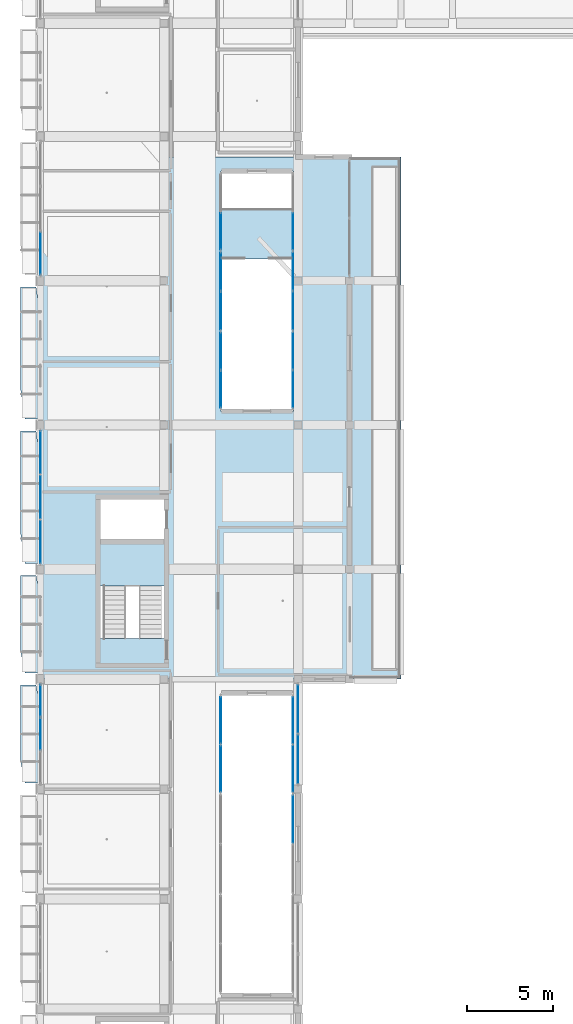
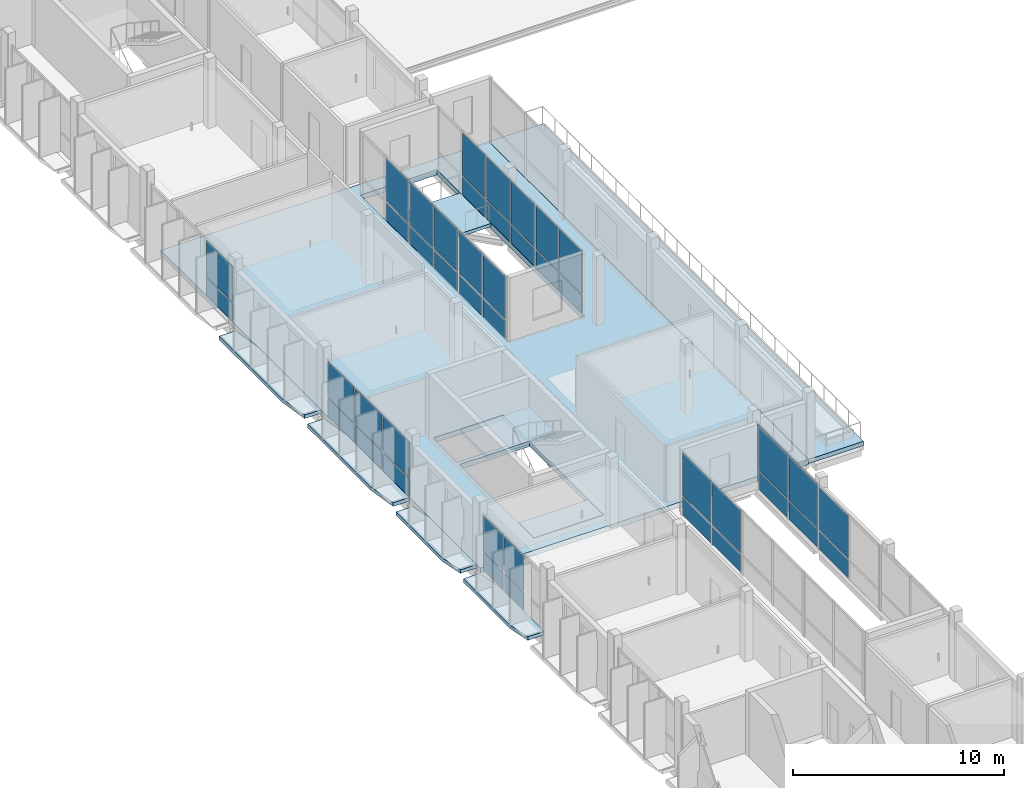
# One storey, part 40 of 86: 46 plates, 9 slabs, 14 elements without a shape of their own.
"""IFC4 building model written with IfcOpenShell, lengths in metres."""

import ifcopenshell
import ifcopenshell.guid

model = None  # the IFC model being written
_history = None  # IfcOwnerHistory: only IFC2X3 demands one
_inside = {}  # id of a spatial element -> (the spatial element, [elements in it])
_under = {}  # id of a project, library or spatial element -> (it, [spatial elements below it])
_declared = {}  # id of a project -> (the project, [libraries it declares])
_typed = {}  # id of a type object -> (the type object, [elements of that type])
_made_of = {}  # id of a material, layer set ... -> (it, [elements and type objects made of it])


def new_model(schema):
    """Start an empty IFC model of exactly this schema.

    Asked for "IFC4X3", IfcOpenShell would pick the latest addendum, in which some entities
    have other attributes; the version numbers below select the first issue.
    IFC2X3 requires an IfcOwnerHistory on every rooted entity: one is made here for all.
    """
    global model, _history
    if schema == "IFC4X3":
        model = ifcopenshell.file(schema_version=(4, 3, 0, 0))
    else:
        model = ifcopenshell.file(schema=schema)
    _inside.clear()
    _under.clear()
    _declared.clear()
    _typed.clear()
    _made_of.clear()
    _history = None
    if model.schema == "IFC2X3":
        org = make("IfcOrganization", Name="unknown")
        user = make(
            "IfcPersonAndOrganization",
            ThePerson=make("IfcPerson", FamilyName="unknown"),
            TheOrganization=org,
        )
        app = make(
            "IfcApplication",
            ApplicationDeveloper=org,
            Version="unknown",
            ApplicationFullName="unknown",
            ApplicationIdentifier="unknown",
        )
        _history = make(
            "IfcOwnerHistory",
            OwningUser=user,
            OwningApplication=app,
            ChangeAction="ADDED",
            CreationDate=0,
        )
    return model


def make(cls, **values):
    """One entity of the class cls with the attributes given. An attribute that is None is left unset."""
    return model.create_entity(
        cls, **{name: value for name, value in values.items() if value is not None}
    )


def rooted(cls, **values):
    """An entity with a GlobalId (a new one), such as an element, a storey or a relation."""
    return make(cls, GlobalId=ifcopenshell.guid.new(), OwnerHistory=_history, **values)


def si_unit(unit_type, name, prefix=None):
    """IfcSIUnit, for example si_unit("LENGTHUNIT", "METRE", prefix="MILLI")."""
    return make("IfcSIUnit", UnitType=unit_type, Prefix=prefix, Name=name)


def derived_unit(unit_type, elements):
    """IfcDerivedUnit: a product of units, each with its exponent."""
    return make(
        "IfcDerivedUnit",
        Elements=[
            make("IfcDerivedUnitElement", Unit=unit, Exponent=power)
            for unit, power in elements
        ],
        UnitType=unit_type,
    )


def assignment(units):
    """IfcUnitAssignment: the units of a project."""
    return None if units is None else make("IfcUnitAssignment", Units=units)


def point(xyz):
    """IfcCartesianPoint."""
    return None if xyz is None else make("IfcCartesianPoint", Coordinates=xyz)


def direction(xyz):
    """IfcDirection."""
    return None if xyz is None else make("IfcDirection", DirectionRatios=xyz)


def frame(location, z_axis=None, x_axis=None):
    """IfcAxis2Placement3D, a coordinate frame: its origin and axes. An axis left out is left unset."""
    return make(
        "IfcAxis2Placement3D",
        Location=point(location),
        Axis=direction(z_axis),
        RefDirection=direction(x_axis),
    )


def frame_2d(location, x_axis=None):
    """IfcAxis2Placement2D, a coordinate frame in the plane: its origin and x axis."""
    return make(
        "IfcAxis2Placement2D", Location=point(location), RefDirection=direction(x_axis)
    )


def origin():
    """The frame at (0, 0, 0) with its axes left unset."""
    return frame((0.0, 0.0, 0.0))


def origin_2d():
    """The frame at (0, 0) in the plane with its x axis left unset."""
    return frame_2d((0.0, 0.0))


def place(relative_to, where):
    """IfcLocalPlacement: puts the frame where relative to a parent placement (None: the world)."""
    return make(
        "IfcLocalPlacement", PlacementRelTo=relative_to, RelativePlacement=where
    )


def context(
    kind, dimensions, precision=None, world=None, true_north=None, identifier=None
):
    """IfcGeometricRepresentationContext, for example the 3D "Model" context."""
    return make(
        "IfcGeometricRepresentationContext",
        ContextIdentifier=identifier,
        ContextType=kind,
        CoordinateSpaceDimension=dimensions,
        Precision=precision,
        WorldCoordinateSystem=world,
        TrueNorth=true_north,
    )


def subcontext(parent, identifier, kind, view, scale=None):
    """IfcGeometricRepresentationSubContext, for example "Body" below "Model"."""
    return make(
        "IfcGeometricRepresentationSubContext",
        ContextIdentifier=identifier,
        ContextType=kind,
        ParentContext=parent,
        TargetScale=scale,
        TargetView=view,
    )


def project(units=None, contexts=None):
    """IfcProject with its units and contexts."""
    return rooted(
        "IfcProject",
        Name="project",
        RepresentationContexts=contexts,
        UnitsInContext=assignment(units),
    )


def spatial(cls, under=None, at=None, **own):
    """A site, building, storey or space (cls), placed at a placement, below another one or the project."""
    s = rooted(cls, ObjectPlacement=at, **own)
    if under is not None:
        _under.setdefault(under.id(), (under, []))[1].append(s)
    return s


def polyline(points):
    """IfcPolyline through the points."""
    return make("IfcPolyline", Points=[point(p) for p in points])


def profile(cls, at=None, kind="AREA", **sizes):
    """A parametric profile (cls). Its sizes go by their IFC names, for example OverallWidth=200.0."""
    return make(cls, ProfileType=kind, Position=at, **sizes)


def rectangle(**sizes):
    """IfcRectangleProfileDef."""
    return profile("IfcRectangleProfileDef", **sizes)


def outline(outer, holes=None, kind="AREA"):
    """IfcArbitraryClosedProfileDef: a profile drawn as a closed curve; with holes, ...WithVoids."""
    if holes is None:
        return make("IfcArbitraryClosedProfileDef", ProfileType=kind, OuterCurve=outer)
    return make(
        "IfcArbitraryProfileDefWithVoids",
        ProfileType=kind,
        OuterCurve=outer,
        InnerCurves=holes,
    )


def extrude(swept, where, along, depth):
    """IfcExtrudedAreaSolid: the profile swept, set in the frame where, extruded along a direction by depth."""
    return make(
        "IfcExtrudedAreaSolid",
        SweptArea=swept,
        Position=where,
        ExtrudedDirection=direction(along),
        Depth=depth,
    )


def shape(context_of_items, identifier, shape_type, items):
    """IfcShapeRepresentation: the items that make up one representation, for example the "Body"."""
    return make(
        "IfcShapeRepresentation",
        ContextOfItems=context_of_items,
        RepresentationIdentifier=identifier,
        RepresentationType=shape_type,
        Items=items,
    )


def material(Name=None, Category=None):
    """IfcMaterial."""
    return make("IfcMaterial", Name=Name, Category=Category)


def layer(
    of_material, thickness, ventilated=None, Name=None, Category=None, Priority=None
):
    """IfcMaterialLayer: one layer of a wall or slab, of a material (None: an air gap)."""
    return make(
        "IfcMaterialLayer",
        Material=of_material,
        LayerThickness=thickness,
        IsVentilated=ventilated,
        Name=Name,
        Category=Category,
        Priority=Priority,
    )


def layer_set(layers, Name=None):
    """IfcMaterialLayerSet."""
    return make("IfcMaterialLayerSet", MaterialLayers=layers, LayerSetName=Name)


def made_of(thing, what):
    """Note that an element or type object is made of a material, layer set ...; save() writes the relation."""
    if what is not None:
        _made_of.setdefault(what.id(), (what, []))[1].append(thing)
    return thing


def type_object(cls, material=None, **own):
    """A type object (cls), such as IfcWallType, which elements share."""
    return made_of(rooted(cls, **own), material)


def element(
    cls,
    number,
    at=None,
    inside=None,
    cuts=None,
    type_object=None,
    material=None,
    context=None,
    identifier="Body",
    shape_type=None,
    held_by="IfcProductDefinitionShape",
    body=None,
    shapes=None,
    **own,
):
    """One element of the class cls, such as IfcWall. Its Tag is "e" and its number.

    at: its placement. inside: the storey or other place that contains it. cuts: it is an
    opening in that element (IfcRelVoidsElement). A single representation is given by context,
    identifier, shape_type and body (its items); several are given by shapes. held_by: the class
    of the entity that holds the representations. save() writes the other relations.
    """
    e = rooted(cls, Tag="e%d" % number, ObjectPlacement=at, **own)
    if body is not None:
        shapes = [shape(context, identifier, shape_type, body)]
    if shapes is not None:
        e.Representation = make(held_by, Representations=shapes)
    if inside is not None:
        _inside.setdefault(inside.id(), (inside, []))[1].append(e)
    if cuts is not None:
        rooted(
            "IfcRelVoidsElement", RelatingBuildingElement=cuts, RelatedOpeningElement=e
        )
    if type_object is not None:
        _typed.setdefault(type_object.id(), (type_object, []))[1].append(e)
    return made_of(e, material)


def aggregate(whole, parts):
    """IfcRelAggregates: a whole, such as a stair, and the parts it consists of."""
    return rooted("IfcRelAggregates", RelatingObject=whole, RelatedObjects=parts)


def save(model, path):
    """Write the relations noted so far, then the file.

    IfcRelAggregates (storeys below a building ...), IfcRelContainedInSpatialStructure (elements
    in a storey), IfcRelDefinesByType, IfcRelAssociatesMaterial and IfcRelDeclares: one each for
    every whole, place, type object, material and project.
    """
    for whole, parts in _under.values():
        aggregate(whole, parts)
    for where, things in _inside.values():
        rooted(
            "IfcRelContainedInSpatialStructure",
            RelatedElements=things,
            RelatingStructure=where,
        )
    for kind, things in _typed.values():
        rooted("IfcRelDefinesByType", RelatedObjects=things, RelatingType=kind)
    for what, things in _made_of.values():
        rooted("IfcRelAssociatesMaterial", RelatedObjects=things, RelatingMaterial=what)
    for by, libraries in _declared.values():
        rooted("IfcRelDeclares", RelatingContext=by, RelatedDefinitions=libraries)
    model.write(path)


model = new_model("IFC4")

# Units and contexts
model_context = context("Model", 3, precision=1e-05, world=origin(), true_north=direction((0.0, 1.0)))
body_context = subcontext(model_context, "Body", "Model", "MODEL_VIEW")
ifc_project = project(units=[si_unit("LENGTHUNIT", "METRE"), si_unit("AREAUNIT", "SQUARE_METRE"), si_unit("VOLUMEUNIT", "CUBIC_METRE"), si_unit("PLANEANGLEUNIT", "RADIAN"), si_unit("MASSUNIT", "GRAM", prefix="KILO"), derived_unit("THERMALTRANSMITTANCEUNIT", [(si_unit("POWERUNIT", "WATT"), 1), (si_unit("LENGTHUNIT", "METRE"), -2), (si_unit("THERMODYNAMICTEMPERATUREUNIT", "KELVIN"), -1)])], contexts=[model_context])

# Site, building, storey
site_placement = place(None, origin())
site = spatial("IfcSite", under=ifc_project, at=site_placement, CompositionType="ELEMENT")
building_placement = place(site_placement, origin())
building = spatial("IfcBuilding", under=site, at=building_placement, Name="Braskholm Square Health Centre", CompositionType="ELEMENT")
storey_placement = place(building_placement, frame((0.0, 0.0, 13.5)))
storey = spatial("IfcBuildingStorey", under=building, at=storey_placement, Name="L04", CompositionType="ELEMENT", Elevation=13.5)

# Curtain wall, plates
ifc_material_1 = material(Name="Low-E triple insulating glass (VLT 0.64)", Category="glass")
curtain_wall_type_1 = type_object("IfcCurtainWallType", Name="UnitisedCurtainWall6200x3650", PredefinedType="NOTDEFINED", material=ifc_material_1)
curtain_wall_1_placement = place(storey_placement, origin())
curtain_wall_1 = element("IfcCurtainWall", 1, at=curtain_wall_1_placement, inside=storey, type_object=curtain_wall_type_1, Name="West Outer unitised curtain wall CW-L04-0025", PredefinedType="NOTDEFINED")
ifc_material_2 = material(Name="Architectural bronze anodised aluminium", Category="aluminium")
plate_type_1 = type_object("IfcPlateType", Name="CurtainPanelSpandrel1850x1020", PredefinedType="CURTAIN_PANEL", material=ifc_material_2)
plate_1_placement = place(storey_placement, frame((4.199951171875, 47.75341796875, 0.050048828125), z_axis=(0.0, 0.0, 1.0), x_axis=(0.0, -1.0, 0.0)))
plate_1 = element("IfcPlate", 2, at=plate_1_placement, type_object=plate_type_1, Name="CW-L04-0025 spandrel panel 1", PredefinedType="CURTAIN_PANEL", context=body_context, shape_type="SweptSolid", body=[
    extrude(rectangle(XDim=1.836181640625, YDim=0.035888671875, at=origin_2d()), origin(), (0.0, 0.0, 1.0), 1.02001953125),
])
plate_2_placement = place(storey_placement, frame((4.199951171875, 45.800048828125, 0.050048828125), z_axis=(0.0, 0.0, 1.0), x_axis=(0.0, -1.0, 0.0)))
plate_2 = element("IfcPlate", 3, at=plate_2_placement, type_object=plate_type_1, Name="CW-L04-0025 spandrel panel 2", PredefinedType="CURTAIN_PANEL", context=body_context, shape_type="SweptSolid", body=[
    extrude(rectangle(XDim=1.836181640625, YDim=0.035888671875, at=origin_2d()), origin(), (0.0, 0.0, 1.0), 1.02001953125),
])

curtain_wall_type_2 = type_object("IfcCurtainWallType", Name="UnitisedCurtainWall4800x3800", PredefinedType="NOTDEFINED", material=ifc_material_1)
curtain_wall_2_placement = place(storey_placement, origin())
curtain_wall_2 = element("IfcCurtainWall", 4, at=curtain_wall_2_placement, inside=storey, type_object=curtain_wall_type_2, Name="WC2 Court W unitised curtain wall CW-L04-0303", PredefinedType="NOTDEFINED")
plate_type_2 = type_object("IfcPlateType", Name="CurtainPanelSpandrel2150x1020", PredefinedType="CURTAIN_PANEL", material=ifc_material_2)
plate_3_placement = place(storey_placement, frame((14.699951171875, 65.884033203125, 0.050048828125), z_axis=(0.0, 0.0, 1.0), x_axis=(0.0, 1.0, 0.0)))
plate_3 = element("IfcPlate", 5, at=plate_3_placement, type_object=plate_type_2, Name="CW-L04-0303 spandrel panel 1", PredefinedType="CURTAIN_PANEL", context=body_context, shape_type="SweptSolid", body=[
    extrude(rectangle(XDim=2.125244140625, YDim=0.035888671875, at=origin_2d()), origin(), (0.0, 0.0, 1.0), 1.02001953125),
])
plate_4_placement = place(storey_placement, frame((14.699951171875, 68.117919921875, 0.050048828125), z_axis=(0.0, 0.0, 1.0), x_axis=(0.0, 1.0, 0.0)))
plate_4 = element("IfcPlate", 6, at=plate_4_placement, type_object=plate_type_2, Name="CW-L04-0303 spandrel panel 2", PredefinedType="CURTAIN_PANEL", context=body_context, shape_type="SweptSolid", body=[
    extrude(rectangle(XDim=2.125244140625, YDim=0.035888671875, at=origin_2d()), origin(), (0.0, 0.0, 1.0), 1.02001953125),
])

curtain_wall_3_placement = place(storey_placement, origin())
curtain_wall_3 = element("IfcCurtainWall", 7, at=curtain_wall_3_placement, inside=storey, type_object=curtain_wall_type_2, Name="WC2 Court E unitised curtain wall CW-L04-0304", PredefinedType="NOTDEFINED")
plate_5_placement = place(storey_placement, frame((18.89990234375, 68.117919921875, 0.050048828125), z_axis=(0.0, 0.0, 1.0), x_axis=(0.0, -1.0, 0.0)))
plate_5 = element("IfcPlate", 8, at=plate_5_placement, type_object=plate_type_2, Name="CW-L04-0304 spandrel panel 1", PredefinedType="CURTAIN_PANEL", context=body_context, shape_type="SweptSolid", body=[
    extrude(rectangle(XDim=2.125244140625, YDim=0.035888671875, at=origin_2d()), origin(), (0.0, 0.0, 1.0), 1.02001953125),
])
plate_6_placement = place(storey_placement, frame((18.89990234375, 65.884033203125, 0.050048828125), z_axis=(0.0, 0.0, 1.0), x_axis=(0.0, -1.0, 0.0)))
plate_6 = element("IfcPlate", 9, at=plate_6_placement, type_object=plate_type_2, Name="CW-L04-0304 spandrel panel 2", PredefinedType="CURTAIN_PANEL", context=body_context, shape_type="SweptSolid", body=[
    extrude(rectangle(XDim=2.125244140625, YDim=0.035888671875, at=origin_2d()), origin(), (0.0, 0.0, 1.0), 1.02001953125),
])

curtain_wall_4_placement = place(storey_placement, origin())
curtain_wall_4 = element("IfcCurtainWall", 10, at=curtain_wall_4_placement, inside=storey, type_object=curtain_wall_type_2, Name="WC2 Court W unitised curtain wall CW-L04-0305", PredefinedType="NOTDEFINED")
plate_7_placement = place(storey_placement, frame((14.699951171875, 70.449951171875, 0.050048828125), z_axis=(0.0, 0.0, 1.0), x_axis=(0.0, 1.0, 0.0)))
plate_7 = element("IfcPlate", 11, at=plate_7_placement, type_object=plate_type_2, Name="CW-L04-0305 spandrel panel 1", PredefinedType="CURTAIN_PANEL", context=body_context, shape_type="SweptSolid", body=[
    extrude(rectangle(XDim=2.188232421875, YDim=0.035888671875, at=origin_2d()), origin(), (0.0, 0.0, 1.0), 1.02001953125),
])
plate_8_placement = place(storey_placement, frame((14.699951171875, 72.75, 0.050048828125), z_axis=(0.0, 0.0, 1.0), x_axis=(0.0, 1.0, 0.0)))
plate_8 = element("IfcPlate", 12, at=plate_8_placement, type_object=plate_type_2, Name="CW-L04-0305 spandrel panel 2", PredefinedType="CURTAIN_PANEL", context=body_context, shape_type="SweptSolid", body=[
    extrude(rectangle(XDim=2.188232421875, YDim=0.035888671875, at=origin_2d()), origin(), (0.0, 0.0, 1.0), 1.02001953125),
])

curtain_wall_5_placement = place(storey_placement, origin())
curtain_wall_5 = element("IfcCurtainWall", 13, at=curtain_wall_5_placement, inside=storey, type_object=curtain_wall_type_2, Name="WC2 Court E unitised curtain wall CW-L04-0306", PredefinedType="NOTDEFINED")
plate_9_placement = place(storey_placement, frame((18.89990234375, 72.75, 0.050048828125), z_axis=(0.0, 0.0, 1.0), x_axis=(0.0, -1.0, 0.0)))
plate_9 = element("IfcPlate", 14, at=plate_9_placement, type_object=plate_type_2, Name="CW-L04-0306 spandrel panel 1", PredefinedType="CURTAIN_PANEL", context=body_context, shape_type="SweptSolid", body=[
    extrude(rectangle(XDim=2.188232421875, YDim=0.035888671875, at=origin_2d()), origin(), (0.0, 0.0, 1.0), 1.02001953125),
])
plate_10_placement = place(storey_placement, frame((18.89990234375, 70.449951171875, 0.050048828125), z_axis=(0.0, 0.0, 1.0), x_axis=(0.0, -1.0, 0.0)))
plate_10 = element("IfcPlate", 15, at=plate_10_placement, type_object=plate_type_2, Name="CW-L04-0306 spandrel panel 2", PredefinedType="CURTAIN_PANEL", context=body_context, shape_type="SweptSolid", body=[
    extrude(rectangle(XDim=2.188232421875, YDim=0.035888671875, at=origin_2d()), origin(), (0.0, 0.0, 1.0), 1.02001953125),
])

# Curtain wall, plate
curtain_wall_6_placement = place(storey_placement, origin())
curtain_wall_6 = element("IfcCurtainWall", 16, at=curtain_wall_6_placement, inside=storey, type_object=curtain_wall_type_2, Name="WC2 Court W unitised curtain wall CW-L04-0307", PredefinedType="NOTDEFINED")
plate_11_placement = place(storey_placement, frame((14.699951171875, 75.08203125, 0.050048828125), z_axis=(0.0, 0.0, 1.0), x_axis=(0.0, 1.0, 0.0)))
plate_11 = element("IfcPlate", 17, at=plate_11_placement, type_object=plate_type_2, Name="CW-L04-0307 spandrel panel 1", PredefinedType="CURTAIN_PANEL", context=body_context, shape_type="SweptSolid", body=[
    extrude(rectangle(XDim=2.125244140625, YDim=0.035888671875, at=origin_2d()), origin(), (0.0, 0.0, 1.0), 1.02001953125),
])

curtain_wall_7_placement = place(storey_placement, origin())
curtain_wall_7 = element("IfcCurtainWall", 18, at=curtain_wall_7_placement, inside=storey, type_object=curtain_wall_type_2, Name="WC2 Court E unitised curtain wall CW-L04-0308", PredefinedType="NOTDEFINED")
plate_12_placement = place(storey_placement, frame((18.89990234375, 75.08203125, 0.050048828125), z_axis=(0.0, 0.0, 1.0), x_axis=(0.0, -1.0, 0.0)))
plate_12 = element("IfcPlate", 19, at=plate_12_placement, type_object=plate_type_2, Name="CW-L04-0308 spandrel panel 2", PredefinedType="CURTAIN_PANEL", context=body_context, shape_type="SweptSolid", body=[
    extrude(rectangle(XDim=2.125244140625, YDim=0.035888671875, at=origin_2d()), origin(), (0.0, 0.0, 1.0), 1.02001953125),
])

# Curtain wall, plates
curtain_wall_8_placement = place(storey_placement, origin())
curtain_wall_8 = element("IfcCurtainWall", 20, at=curtain_wall_8_placement, inside=storey, type_object=curtain_wall_type_1, Name="West Outer unitised curtain wall CW-L04-0026", PredefinedType="NOTDEFINED")
plate_type_3 = type_object("IfcPlateType", Name="CurtainPanelSpandrel2750x1020", PredefinedType="CURTAIN_PANEL", material=ifc_material_2)
plate_13_placement = place(storey_placement, frame((4.199951171875, 62.219970703125, 0.050048828125), z_axis=(0.0, 0.0, 1.0), x_axis=(0.0, -1.0, 0.0)))
plate_13 = element("IfcPlate", 21, at=plate_13_placement, type_object=plate_type_3, Name="CW-L04-0026 spandrel panel 1", PredefinedType="CURTAIN_PANEL", context=body_context, shape_type="SweptSolid", body=[
    extrude(rectangle(XDim=2.462890625, YDim=0.035888671875, at=origin_2d()), origin(), (0.0, 0.0, 1.0), 1.02001953125),
])
plate_14_placement = place(storey_placement, frame((4.199951171875, 59.60009765625, 0.050048828125), z_axis=(0.0, 0.0, 1.0), x_axis=(0.0, -1.0, 0.0)))
plate_14 = element("IfcPlate", 22, at=plate_14_placement, type_object=plate_type_3, Name="CW-L04-0026 spandrel panel 2", PredefinedType="CURTAIN_PANEL", context=body_context, shape_type="SweptSolid", body=[
    extrude(rectangle(XDim=2.462890625, YDim=0.035888671875, at=origin_2d()), origin(), (0.0, 0.0, 1.0), 1.02001953125),
])
plate_15_placement = place(storey_placement, frame((4.199951171875, 56.97998046875, 0.050048828125), z_axis=(0.0, 0.0, 1.0), x_axis=(0.0, -1.0, 0.0)))
plate_15 = element("IfcPlate", 23, at=plate_15_placement, type_object=plate_type_3, Name="CW-L04-0026 spandrel panel 3", PredefinedType="CURTAIN_PANEL", context=body_context, shape_type="SweptSolid", body=[
    extrude(rectangle(XDim=2.462890625, YDim=0.035888671875, at=origin_2d()), origin(), (0.0, 0.0, 1.0), 1.02001953125),
])

# Curtain wall, plate
curtain_wall_9_placement = place(storey_placement, origin())
curtain_wall_9 = element("IfcCurtainWall", 24, at=curtain_wall_9_placement, inside=storey, type_object=curtain_wall_type_1, Name="West Outer unitised curtain wall CW-L04-0027", PredefinedType="NOTDEFINED")
plate_16_placement = place(storey_placement, frame((4.199951171875, 73.780029296875, 0.050048828125), z_axis=(0.0, 0.0, 1.0), x_axis=(0.0, -1.0, 0.0)))
plate_16 = element("IfcPlate", 25, at=plate_16_placement, type_object=plate_type_3, Name="CW-L04-0027 spandrel panel 3", PredefinedType="CURTAIN_PANEL", context=body_context, shape_type="SweptSolid", body=[
    extrude(rectangle(XDim=2.462890625, YDim=0.035888671875, at=origin_2d()), origin(), (0.0, 0.0, 1.0), 1.02001953125),
])

# Curtain wall, plates
curtain_wall_10_placement = place(storey_placement, origin())
curtain_wall_10 = element("IfcCurtainWall", 26, at=curtain_wall_10_placement, inside=storey, type_object=curtain_wall_type_1, Name="West Valley unitised curtain wall CW-L04-0098", PredefinedType="NOTDEFINED")
plate_17_placement = place(storey_placement, frame((19.199951171875, 44.337890625, 0.050048828125), z_axis=(0.0, 0.0, 1.0), x_axis=(0.0, 1.0, 0.0)))
plate_17 = element("IfcPlate", 27, at=plate_17_placement, type_object=plate_type_3, Name="CW-L04-0098 spandrel panel 1", PredefinedType="CURTAIN_PANEL", context=body_context, shape_type="SweptSolid", body=[
    extrude(rectangle(XDim=2.782470703125, YDim=0.035888671875, at=origin_2d()), origin(), (0.0, 0.0, 1.0), 1.02001953125),
])
plate_18_placement = place(storey_placement, frame((19.199951171875, 47.26220703125, 0.050048828125), z_axis=(0.0, 0.0, 1.0), x_axis=(0.0, 1.0, 0.0)))
plate_18 = element("IfcPlate", 28, at=plate_18_placement, type_object=plate_type_3, Name="CW-L04-0098 spandrel panel 2", PredefinedType="CURTAIN_PANEL", context=body_context, shape_type="SweptSolid", body=[
    extrude(rectangle(XDim=2.782470703125, YDim=0.035888671875, at=origin_2d()), origin(), (0.0, 0.0, 1.0), 1.02001953125),
])

# Curtain wall, plate
curtain_wall_type_3 = type_object("IfcCurtainWallType", Name="UnitisedCurtainWall6200x3800", PredefinedType="NOTDEFINED", material=ifc_material_1)
curtain_wall_11_placement = place(storey_placement, origin())
curtain_wall_11 = element("IfcCurtainWall", 29, at=curtain_wall_11_placement, inside=storey, type_object=curtain_wall_type_3, Name="WC1 Court E unitised curtain wall CW-L04-0270", PredefinedType="NOTDEFINED")
plate_19_placement = place(storey_placement, frame((18.89990234375, 40.846435546875, 0.050048828125), z_axis=(0.0, 0.0, 1.0), x_axis=(0.0, -1.0, 0.0)))
plate_19 = element("IfcPlate", 30, at=plate_19_placement, type_object=plate_type_3, Name="CW-L04-0270 spandrel panel 1", PredefinedType="CURTAIN_PANEL", context=body_context, shape_type="SweptSolid", body=[
    extrude(rectangle(XDim=2.752197265625, YDim=0.035888671875, at=origin_2d()), origin(), (0.0, 0.0, 1.0), 1.02001953125),
])

# Curtain wall, plates
curtain_wall_type_4 = type_object("IfcCurtainWallType", Name="UnitisedCurtainWall5400x3800", PredefinedType="NOTDEFINED", material=ifc_material_1)
curtain_wall_12_placement = place(storey_placement, origin())
curtain_wall_12 = element("IfcCurtainWall", 31, at=curtain_wall_12_placement, inside=storey, type_object=curtain_wall_type_4, Name="WC1 Court W unitised curtain wall CW-L04-0271", PredefinedType="NOTDEFINED")
plate_20_placement = place(storey_placement, frame((14.699951171875, 43.78564453125, 0.050048828125), z_axis=(0.0, 0.0, 1.0), x_axis=(0.0, 1.0, 0.0)))
plate_20 = element("IfcPlate", 32, at=plate_20_placement, type_object=plate_type_3, Name="CW-L04-0271 spandrel panel 1", PredefinedType="CURTAIN_PANEL", context=body_context, shape_type="SweptSolid", body=[
    extrude(rectangle(XDim=2.689208984375, YDim=0.035888671875, at=origin_2d()), origin(), (0.0, 0.0, 1.0), 1.02001953125),
])
plate_21_placement = place(storey_placement, frame((14.699951171875, 46.6123046875, 0.050048828125), z_axis=(0.0, 0.0, 1.0), x_axis=(0.0, 1.0, 0.0)))
plate_21 = element("IfcPlate", 33, at=plate_21_placement, type_object=plate_type_3, Name="CW-L04-0271 spandrel panel 2", PredefinedType="CURTAIN_PANEL", context=body_context, shape_type="SweptSolid", body=[
    extrude(rectangle(XDim=2.689208984375, YDim=0.035888671875, at=origin_2d()), origin(), (0.0, 0.0, 1.0), 1.02001953125),
])

curtain_wall_13_placement = place(storey_placement, origin())
curtain_wall_13 = element("IfcCurtainWall", 34, at=curtain_wall_13_placement, inside=storey, type_object=curtain_wall_type_4, Name="WC1 Court E unitised curtain wall CW-L04-0272", PredefinedType="NOTDEFINED")
plate_22_placement = place(storey_placement, frame((18.89990234375, 46.6123046875, 0.050048828125), z_axis=(0.0, 0.0, 1.0), x_axis=(0.0, -1.0, 0.0)))
plate_22 = element("IfcPlate", 35, at=plate_22_placement, type_object=plate_type_3, Name="CW-L04-0272 spandrel panel 1", PredefinedType="CURTAIN_PANEL", context=body_context, shape_type="SweptSolid", body=[
    extrude(rectangle(XDim=2.689208984375, YDim=0.035888671875, at=origin_2d()), origin(), (0.0, 0.0, 1.0), 1.02001953125),
])
plate_23_placement = place(storey_placement, frame((18.89990234375, 43.78564453125, 0.050048828125), z_axis=(0.0, 0.0, 1.0), x_axis=(0.0, -1.0, 0.0)))
plate_23 = element("IfcPlate", 36, at=plate_23_placement, type_object=plate_type_3, Name="CW-L04-0272 spandrel panel 2", PredefinedType="CURTAIN_PANEL", context=body_context, shape_type="SweptSolid", body=[
    extrude(rectangle(XDim=2.689208984375, YDim=0.035888671875, at=origin_2d()), origin(), (0.0, 0.0, 1.0), 1.02001953125),
])

# Plate
plate_type_4 = type_object("IfcPlateType", Name="CurtainPanelVision1850x2120", PredefinedType="CURTAIN_PANEL", material=ifc_material_1)
plate_24_placement = place(storey_placement, frame((4.199951171875, 47.75341796875, 1.169921875), z_axis=(0.0, 0.0, 1.0), x_axis=(0.0, -1.0, 0.0)))
plate_24 = element("IfcPlate", 37, at=plate_24_placement, type_object=plate_type_4, Name="CW-L04-0025 vision glass panel 1", PredefinedType="CURTAIN_PANEL", context=body_context, shape_type="SweptSolid", body=[
    extrude(rectangle(XDim=1.836181640625, YDim=0.035888671875, at=origin_2d()), origin(), (0.0, 0.0, 1.0), 2.050048828125),
])

plate_25_placement = place(storey_placement, frame((4.199951171875, 45.800048828125, 1.169921875), z_axis=(0.0, 0.0, 1.0), x_axis=(0.0, -1.0, 0.0)))
plate_25 = element("IfcPlate", 38, at=plate_25_placement, type_object=plate_type_4, Name="CW-L04-0025 vision glass panel 2", PredefinedType="CURTAIN_PANEL", context=body_context, shape_type="SweptSolid", body=[
    extrude(rectangle(XDim=1.836181640625, YDim=0.035888671875, at=origin_2d()), origin(), (0.0, 0.0, 1.0), 2.050048828125),
])

aggregate(curtain_wall_1, [plate_1, plate_24, plate_2, plate_25])

plate_type_5 = type_object("IfcPlateType", Name="CurtainPanelVision2150x2520", PredefinedType="CURTAIN_PANEL", material=ifc_material_1)
plate_26_placement = place(storey_placement, frame((14.699951171875, 65.884033203125, 1.169921875), z_axis=(0.0, 0.0, 1.0), x_axis=(0.0, 1.0, 0.0)))
plate_26 = element("IfcPlate", 39, at=plate_26_placement, type_object=plate_type_5, Name="CW-L04-0303 vision glass panel 1", PredefinedType="CURTAIN_PANEL", context=body_context, shape_type="SweptSolid", body=[
    extrude(rectangle(XDim=2.125244140625, YDim=0.035888671875, at=origin_2d()), origin(), (0.0, 0.0, 1.0), 2.469970703125),
])

plate_27_placement = place(storey_placement, frame((14.699951171875, 68.117919921875, 1.169921875), z_axis=(0.0, 0.0, 1.0), x_axis=(0.0, 1.0, 0.0)))
plate_27 = element("IfcPlate", 40, at=plate_27_placement, type_object=plate_type_5, Name="CW-L04-0303 vision glass panel 2", PredefinedType="CURTAIN_PANEL", context=body_context, shape_type="SweptSolid", body=[
    extrude(rectangle(XDim=2.125244140625, YDim=0.035888671875, at=origin_2d()), origin(), (0.0, 0.0, 1.0), 2.469970703125),
])

aggregate(curtain_wall_2, [plate_3, plate_26, plate_4, plate_27])

plate_28_placement = place(storey_placement, frame((18.89990234375, 68.117919921875, 1.169921875), z_axis=(0.0, 0.0, 1.0), x_axis=(0.0, -1.0, 0.0)))
plate_28 = element("IfcPlate", 41, at=plate_28_placement, type_object=plate_type_5, Name="CW-L04-0304 vision glass panel 1", PredefinedType="CURTAIN_PANEL", context=body_context, shape_type="SweptSolid", body=[
    extrude(rectangle(XDim=2.125244140625, YDim=0.035888671875, at=origin_2d()), origin(), (0.0, 0.0, 1.0), 2.469970703125),
])

plate_29_placement = place(storey_placement, frame((18.89990234375, 65.884033203125, 1.169921875), z_axis=(0.0, 0.0, 1.0), x_axis=(0.0, -1.0, 0.0)))
plate_29 = element("IfcPlate", 42, at=plate_29_placement, type_object=plate_type_5, Name="CW-L04-0304 vision glass panel 2", PredefinedType="CURTAIN_PANEL", context=body_context, shape_type="SweptSolid", body=[
    extrude(rectangle(XDim=2.125244140625, YDim=0.035888671875, at=origin_2d()), origin(), (0.0, 0.0, 1.0), 2.469970703125),
])

aggregate(curtain_wall_3, [plate_5, plate_28, plate_6, plate_29])

plate_30_placement = place(storey_placement, frame((14.699951171875, 70.449951171875, 1.169921875), z_axis=(0.0, 0.0, 1.0), x_axis=(0.0, 1.0, 0.0)))
plate_30 = element("IfcPlate", 43, at=plate_30_placement, type_object=plate_type_5, Name="CW-L04-0305 vision glass panel 1", PredefinedType="CURTAIN_PANEL", context=body_context, shape_type="SweptSolid", body=[
    extrude(rectangle(XDim=2.188232421875, YDim=0.035888671875, at=origin_2d()), origin(), (0.0, 0.0, 1.0), 2.469970703125),
])

plate_31_placement = place(storey_placement, frame((14.699951171875, 72.75, 1.169921875), z_axis=(0.0, 0.0, 1.0), x_axis=(0.0, 1.0, 0.0)))
plate_31 = element("IfcPlate", 44, at=plate_31_placement, type_object=plate_type_5, Name="CW-L04-0305 vision glass panel 2", PredefinedType="CURTAIN_PANEL", context=body_context, shape_type="SweptSolid", body=[
    extrude(rectangle(XDim=2.188232421875, YDim=0.035888671875, at=origin_2d()), origin(), (0.0, 0.0, 1.0), 2.469970703125),
])

aggregate(curtain_wall_4, [plate_7, plate_30, plate_8, plate_31])

plate_32_placement = place(storey_placement, frame((18.89990234375, 72.75, 1.169921875), z_axis=(0.0, 0.0, 1.0), x_axis=(0.0, -1.0, 0.0)))
plate_32 = element("IfcPlate", 45, at=plate_32_placement, type_object=plate_type_5, Name="CW-L04-0306 vision glass panel 1", PredefinedType="CURTAIN_PANEL", context=body_context, shape_type="SweptSolid", body=[
    extrude(rectangle(XDim=2.188232421875, YDim=0.035888671875, at=origin_2d()), origin(), (0.0, 0.0, 1.0), 2.469970703125),
])

plate_33_placement = place(storey_placement, frame((18.89990234375, 70.449951171875, 1.169921875), z_axis=(0.0, 0.0, 1.0), x_axis=(0.0, -1.0, 0.0)))
plate_33 = element("IfcPlate", 46, at=plate_33_placement, type_object=plate_type_5, Name="CW-L04-0306 vision glass panel 2", PredefinedType="CURTAIN_PANEL", context=body_context, shape_type="SweptSolid", body=[
    extrude(rectangle(XDim=2.188232421875, YDim=0.035888671875, at=origin_2d()), origin(), (0.0, 0.0, 1.0), 2.469970703125),
])

aggregate(curtain_wall_5, [plate_9, plate_32, plate_10, plate_33])

plate_34_placement = place(storey_placement, frame((14.699951171875, 75.08203125, 1.169921875), z_axis=(0.0, 0.0, 1.0), x_axis=(0.0, 1.0, 0.0)))
plate_34 = element("IfcPlate", 47, at=plate_34_placement, type_object=plate_type_5, Name="CW-L04-0307 vision glass panel 1", PredefinedType="CURTAIN_PANEL", context=body_context, shape_type="SweptSolid", body=[
    extrude(rectangle(XDim=2.125244140625, YDim=0.035888671875, at=origin_2d()), origin(), (0.0, 0.0, 1.0), 2.469970703125),
])

aggregate(curtain_wall_6, [plate_11, plate_34])

plate_35_placement = place(storey_placement, frame((18.89990234375, 75.08203125, 1.169921875), z_axis=(0.0, 0.0, 1.0), x_axis=(0.0, -1.0, 0.0)))
plate_35 = element("IfcPlate", 48, at=plate_35_placement, type_object=plate_type_5, Name="CW-L04-0308 vision glass panel 2", PredefinedType="CURTAIN_PANEL", context=body_context, shape_type="SweptSolid", body=[
    extrude(rectangle(XDim=2.125244140625, YDim=0.035888671875, at=origin_2d()), origin(), (0.0, 0.0, 1.0), 2.469970703125),
])

aggregate(curtain_wall_7, [plate_12, plate_35])

plate_type_6 = type_object("IfcPlateType", Name="CurtainPanelVision2750x2120", PredefinedType="CURTAIN_PANEL", material=ifc_material_1)
plate_36_placement = place(storey_placement, frame((4.199951171875, 62.219970703125, 1.169921875), z_axis=(0.0, 0.0, 1.0), x_axis=(0.0, -1.0, 0.0)))
plate_36 = element("IfcPlate", 49, at=plate_36_placement, type_object=plate_type_6, Name="CW-L04-0026 vision glass panel 1", PredefinedType="CURTAIN_PANEL", context=body_context, shape_type="SweptSolid", body=[
    extrude(rectangle(XDim=2.462890625, YDim=0.035888671875, at=origin_2d()), origin(), (0.0, 0.0, 1.0), 2.050048828125),
])

plate_37_placement = place(storey_placement, frame((4.199951171875, 59.60009765625, 1.169921875), z_axis=(0.0, 0.0, 1.0), x_axis=(0.0, -1.0, 0.0)))
plate_37 = element("IfcPlate", 50, at=plate_37_placement, type_object=plate_type_6, Name="CW-L04-0026 vision glass panel 2", PredefinedType="CURTAIN_PANEL", context=body_context, shape_type="SweptSolid", body=[
    extrude(rectangle(XDim=2.462890625, YDim=0.035888671875, at=origin_2d()), origin(), (0.0, 0.0, 1.0), 2.050048828125),
])

plate_38_placement = place(storey_placement, frame((4.199951171875, 56.97998046875, 1.169921875), z_axis=(0.0, 0.0, 1.0), x_axis=(0.0, -1.0, 0.0)))
plate_38 = element("IfcPlate", 51, at=plate_38_placement, type_object=plate_type_6, Name="CW-L04-0026 vision glass panel 3", PredefinedType="CURTAIN_PANEL", context=body_context, shape_type="SweptSolid", body=[
    extrude(rectangle(XDim=2.462890625, YDim=0.035888671875, at=origin_2d()), origin(), (0.0, 0.0, 1.0), 2.050048828125),
])

aggregate(curtain_wall_8, [plate_13, plate_36, plate_14, plate_37, plate_15, plate_38])

plate_39_placement = place(storey_placement, frame((4.199951171875, 73.780029296875, 1.169921875), z_axis=(0.0, 0.0, 1.0), x_axis=(0.0, -1.0, 0.0)))
plate_39 = element("IfcPlate", 52, at=plate_39_placement, type_object=plate_type_6, Name="CW-L04-0027 vision glass panel 3", PredefinedType="CURTAIN_PANEL", context=body_context, shape_type="SweptSolid", body=[
    extrude(rectangle(XDim=2.462890625, YDim=0.035888671875, at=origin_2d()), origin(), (0.0, 0.0, 1.0), 2.050048828125),
])

aggregate(curtain_wall_9, [plate_16, plate_39])

plate_40_placement = place(storey_placement, frame((19.199951171875, 44.337890625, 1.169921875), z_axis=(0.0, 0.0, 1.0), x_axis=(0.0, 1.0, 0.0)))
plate_40 = element("IfcPlate", 53, at=plate_40_placement, type_object=plate_type_6, Name="CW-L04-0098 vision glass panel 1", PredefinedType="CURTAIN_PANEL", context=body_context, shape_type="SweptSolid", body=[
    extrude(rectangle(XDim=2.782470703125, YDim=0.035888671875, at=origin_2d()), origin(), (0.0, 0.0, 1.0), 2.139892578125),
])

plate_41_placement = place(storey_placement, frame((19.199951171875, 47.26220703125, 1.169921875), z_axis=(0.0, 0.0, 1.0), x_axis=(0.0, 1.0, 0.0)))
plate_41 = element("IfcPlate", 54, at=plate_41_placement, type_object=plate_type_6, Name="CW-L04-0098 vision glass panel 2", PredefinedType="CURTAIN_PANEL", context=body_context, shape_type="SweptSolid", body=[
    extrude(rectangle(XDim=2.782470703125, YDim=0.035888671875, at=origin_2d()), origin(), (0.0, 0.0, 1.0), 2.139892578125),
])

aggregate(curtain_wall_10, [plate_17, plate_40, plate_18, plate_41])

plate_type_7 = type_object("IfcPlateType", Name="CurtainPanelVision2750x2520", PredefinedType="CURTAIN_PANEL", material=ifc_material_1)
plate_42_placement = place(storey_placement, frame((18.89990234375, 40.846435546875, 1.169921875), z_axis=(0.0, 0.0, 1.0), x_axis=(0.0, -1.0, 0.0)))
plate_42 = element("IfcPlate", 55, at=plate_42_placement, type_object=plate_type_7, Name="CW-L04-0270 vision glass panel 1", PredefinedType="CURTAIN_PANEL", context=body_context, shape_type="SweptSolid", body=[
    extrude(rectangle(XDim=2.752197265625, YDim=0.035888671875, at=origin_2d()), origin(), (0.0, 0.0, 1.0), 2.469970703125),
])

aggregate(curtain_wall_11, [plate_19, plate_42])

plate_43_placement = place(storey_placement, frame((14.699951171875, 43.78564453125, 1.169921875), z_axis=(0.0, 0.0, 1.0), x_axis=(0.0, 1.0, 0.0)))
plate_43 = element("IfcPlate", 56, at=plate_43_placement, type_object=plate_type_7, Name="CW-L04-0271 vision glass panel 1", PredefinedType="CURTAIN_PANEL", context=body_context, shape_type="SweptSolid", body=[
    extrude(rectangle(XDim=2.689208984375, YDim=0.035888671875, at=origin_2d()), origin(), (0.0, 0.0, 1.0), 2.469970703125),
])

plate_44_placement = place(storey_placement, frame((14.699951171875, 46.6123046875, 1.169921875), z_axis=(0.0, 0.0, 1.0), x_axis=(0.0, 1.0, 0.0)))
plate_44 = element("IfcPlate", 57, at=plate_44_placement, type_object=plate_type_7, Name="CW-L04-0271 vision glass panel 2", PredefinedType="CURTAIN_PANEL", context=body_context, shape_type="SweptSolid", body=[
    extrude(rectangle(XDim=2.689208984375, YDim=0.035888671875, at=origin_2d()), origin(), (0.0, 0.0, 1.0), 2.469970703125),
])

aggregate(curtain_wall_12, [plate_20, plate_43, plate_21, plate_44])

plate_45_placement = place(storey_placement, frame((18.89990234375, 46.6123046875, 1.169921875), z_axis=(0.0, 0.0, 1.0), x_axis=(0.0, -1.0, 0.0)))
plate_45 = element("IfcPlate", 58, at=plate_45_placement, type_object=plate_type_7, Name="CW-L04-0272 vision glass panel 1", PredefinedType="CURTAIN_PANEL", context=body_context, shape_type="SweptSolid", body=[
    extrude(rectangle(XDim=2.689208984375, YDim=0.035888671875, at=origin_2d()), origin(), (0.0, 0.0, 1.0), 2.469970703125),
])

plate_46_placement = place(storey_placement, frame((18.89990234375, 43.78564453125, 1.169921875), z_axis=(0.0, 0.0, 1.0), x_axis=(0.0, -1.0, 0.0)))
plate_46 = element("IfcPlate", 59, at=plate_46_placement, type_object=plate_type_7, Name="CW-L04-0272 vision glass panel 2", PredefinedType="CURTAIN_PANEL", context=body_context, shape_type="SweptSolid", body=[
    extrude(rectangle(XDim=2.689208984375, YDim=0.035888671875, at=origin_2d()), origin(), (0.0, 0.0, 1.0), 2.469970703125),
])

aggregate(curtain_wall_13, [plate_22, plate_45, plate_23, plate_46])

# Slabs
ifc_material_3 = material(Name="Precast concrete C40/50 architectural white", Category="concrete")
ifc_layer_1 = layer(ifc_material_3, 0.2099609375)
ifc_layer_set_1 = layer_set([ifc_layer_1], Name="Precast concrete C40/50 architectural white")
slab_type_1 = type_object("IfcSlabType", Name="PitchedAndCrownRoofSlab150", PredefinedType="ROOF", material=ifc_layer_set_1)
slab_1_placement = place(storey_placement, frame((0.0, 0.0, -0.2099609375)))
element("IfcSlab", 60, at=slab_1_placement, inside=storey, type_object=slab_type_1, Name="Level L04 West precast planter ledge 039", PredefinedType="ROOF", context=body_context, shape_type="SweptSolid", body=[
    extrude(outline(polyline([(3.302978515625, 42.949951171875), (4.199951171875, 42.949951171875), (4.199951171875, 47.39599609375), (3.947021484375, 48.64990234375), (3.050048828125, 48.64990234375), (3.050048828125, 44.2041015625), (3.302978515625, 42.949951171875)])), origin(), (0.0, 0.0, 1.0), 0.2099609375),
])
slab_2_placement = place(storey_placement, frame((0.0, 0.0, -0.2099609375)))
element("IfcSlab", 61, at=slab_2_placement, inside=storey, type_object=slab_type_1, Name="Level L04 West precast planter ledge 040", PredefinedType="ROOF", context=body_context, shape_type="SweptSolid", body=[
    extrude(outline(polyline([(3.302978515625, 49.35009765625), (4.199951171875, 49.35009765625), (4.199951171875, 53.7958984375), (3.947021484375, 55.050048828125), (3.050048828125, 55.050048828125), (3.050048828125, 50.60400390625), (3.302978515625, 49.35009765625)])), origin(), (0.0, 0.0, 1.0), 0.2099609375),
])
slab_3_placement = place(storey_placement, frame((0.0, 0.0, -0.2099609375)))
element("IfcSlab", 62, at=slab_3_placement, inside=storey, type_object=slab_type_1, Name="Level L04 West precast planter ledge 041", PredefinedType="ROOF", context=body_context, shape_type="SweptSolid", body=[
    extrude(outline(polyline([(3.302978515625, 55.75), (4.199951171875, 55.75), (4.199951171875, 61.756103515625), (3.947021484375, 63.449951171875), (3.050048828125, 63.449951171875), (3.050048828125, 57.444091796875), (3.302978515625, 55.75)])), origin(), (0.0, 0.0, 1.0), 0.2099609375),
])
slab_4_placement = place(storey_placement, frame((0.0, 0.0, -0.2099609375)))
element("IfcSlab", 63, at=slab_4_placement, inside=storey, type_object=slab_type_1, Name="Level L04 West precast planter ledge 042", PredefinedType="ROOF", context=body_context, shape_type="SweptSolid", body=[
    extrude(outline(polyline([(3.302978515625, 64.14990234375), (4.199951171875, 64.14990234375), (4.199951171875, 70.156005859375), (3.947021484375, 71.85009765625), (3.050048828125, 71.85009765625), (3.050048828125, 65.843994140625), (3.302978515625, 64.14990234375)])), origin(), (0.0, 0.0, 1.0), 0.2099609375),
])
ifc_material_4 = material(Name="Concrete C35/45 (f'c = 35 MPa)", Category="concrete")
ifc_layer_2 = layer(ifc_material_4, 0.25)
ifc_layer_set_2 = layer_set([ifc_layer_2], Name="Concrete C35/45 (f'c = 35 MPa)")
slab_type_2 = type_object("IfcSlabType", Name="PlantedTerraceRoofSlab250", PredefinedType="ROOF", material=ifc_layer_set_2)
slab_5_placement = place(storey_placement, frame((0.0, 0.0, -0.25)))
element("IfcSlab", 64, at=slab_5_placement, inside=storey, type_object=slab_type_2, Name="Level L04 West Green Valley Step 2 planted therapy terrace slab", PredefinedType="ROOF", context=body_context, shape_type="SweptSolid", body=[
    extrude(outline(polyline([(22.199951171875, 49.0), (25.199951171875, 49.0), (25.199951171875, 79.39990234375), (22.199951171875, 79.39990234375), (22.199951171875, 49.0)])), origin(), (0.0, 0.0, 1.0), 0.25),
])

# Stair, slabs
stair_type = type_object("IfcStairType", Name="ExitReturnStairL04", PredefinedType="HALF_TURN_STAIR", material=ifc_material_4)
stair_placement = place(storey_placement, origin())
stair = element("IfcStair", 65, at=stair_placement, inside=storey, type_object=stair_type, Name="Enclosed exit stair ST-02 L04 to L05", PredefinedType="HALF_TURN_STAIR")
ifc_layer_3 = layer(ifc_material_4, 0.179931640625)
ifc_layer_set_3 = layer_set([ifc_layer_3], Name="Concrete C35/45 (f'c = 35 MPa)")
slab_type_3 = type_object("IfcSlabType", Name="StairLandingSlab180", PredefinedType="LANDING", material=ifc_layer_set_3)
slab_6_placement = place(storey_placement, frame((0.0, 0.0, 1.844970703125)))
slab_6 = element("IfcSlab", 66, at=slab_6_placement, type_object=slab_type_3, Name="Stair ST-02 half-landing L04", PredefinedType="LANDING", context=body_context, shape_type="SweptSolid", body=[
    extrude(outline(polyline([(7.64990234375, 54.43994140625), (11.449951171875, 54.43994140625), (11.449951171875, 56.89990234375), (7.64990234375, 56.89990234375), (7.64990234375, 54.43994140625)])), origin(), (0.0, 0.0, 1.0), 0.179931640625),
])
slab_7_placement = place(storey_placement, frame((0.0, 0.0, -0.179931640625)))
slab_7 = element("IfcSlab", 67, at=slab_7_placement, type_object=slab_type_3, Name="Stair ST-02 floor landing L04", PredefinedType="LANDING", context=body_context, shape_type="SweptSolid", body=[
    extrude(outline(polyline([(7.64990234375, 49.89990234375), (11.449951171875, 49.89990234375), (11.449951171875, 51.360107421875), (7.64990234375, 51.360107421875), (7.64990234375, 49.89990234375)])), origin(), (0.0, 0.0, 1.0), 0.179931640625),
])
aggregate(stair, [slab_6, slab_7])

# Slabs
slab_8_placement = place(storey_placement, frame((0.0, 0.0, -0.179931640625)))
element("IfcSlab", 68, at=slab_8_placement, inside=storey, type_object=slab_type_3, Name="Atrium feature stair landing SLAB-LND-COURT-W2", PredefinedType="LANDING", context=body_context, shape_type="SweptSolid", body=[
    extrude(outline(polyline([(14.699951171875, 73.469970703125), (18.89990234375, 73.469970703125), (18.89990234375, 76.39990234375), (14.699951171875, 76.39990234375), (14.699951171875, 73.469970703125)])), origin(), (0.0, 0.0, 1.0), 0.179931640625),
])
ifc_layer_4 = layer(ifc_material_4, 0.300048828125)
ifc_layer_set_4 = layer_set([ifc_layer_4], Name="Concrete C35/45 (f'c = 35 MPa)")
slab_type_4 = type_object("IfcSlabType", Name="TwoWayClinicalFlatSlab300", PredefinedType="FLOOR", material=ifc_layer_set_4)
slab_9_placement = place(storey_placement, frame((0.0, 0.0, -0.300048828125)))
element("IfcSlab", 69, at=slab_9_placement, inside=storey, type_object=slab_type_4, Name="Level L04 V4W West behavioral and consulting wing slab", PredefinedType="FLOOR", context=body_context, shape_type="SweptSolid", body=[
    extrude(outline(polyline([(4.199951171875, 49.0), (22.199951171875, 49.0), (22.199951171875, 79.39990234375), (4.199951171875, 79.39990234375), (4.199951171875, 49.0)]), holes=[polyline([(7.6298828125, 49.8798828125), (11.469970703125, 49.8798828125), (11.469970703125, 56.919921875), (7.6298828125, 56.919921875), (7.6298828125, 49.8798828125)]), polyline([(7.6298828125, 57.14990234375), (11.469970703125, 57.14990234375), (11.469970703125, 59.449951171875), (7.6298828125, 59.449951171875), (7.6298828125, 57.14990234375)]), polyline([(14.699951171875, 64.60009765625), (18.89990234375, 64.60009765625), (18.89990234375, 78.60009765625), (14.699951171875, 78.60009765625), (14.699951171875, 64.60009765625)])]), origin(), (0.0, 0.0, 1.0), 0.300048828125),
])

save(model, "model.ifc")
